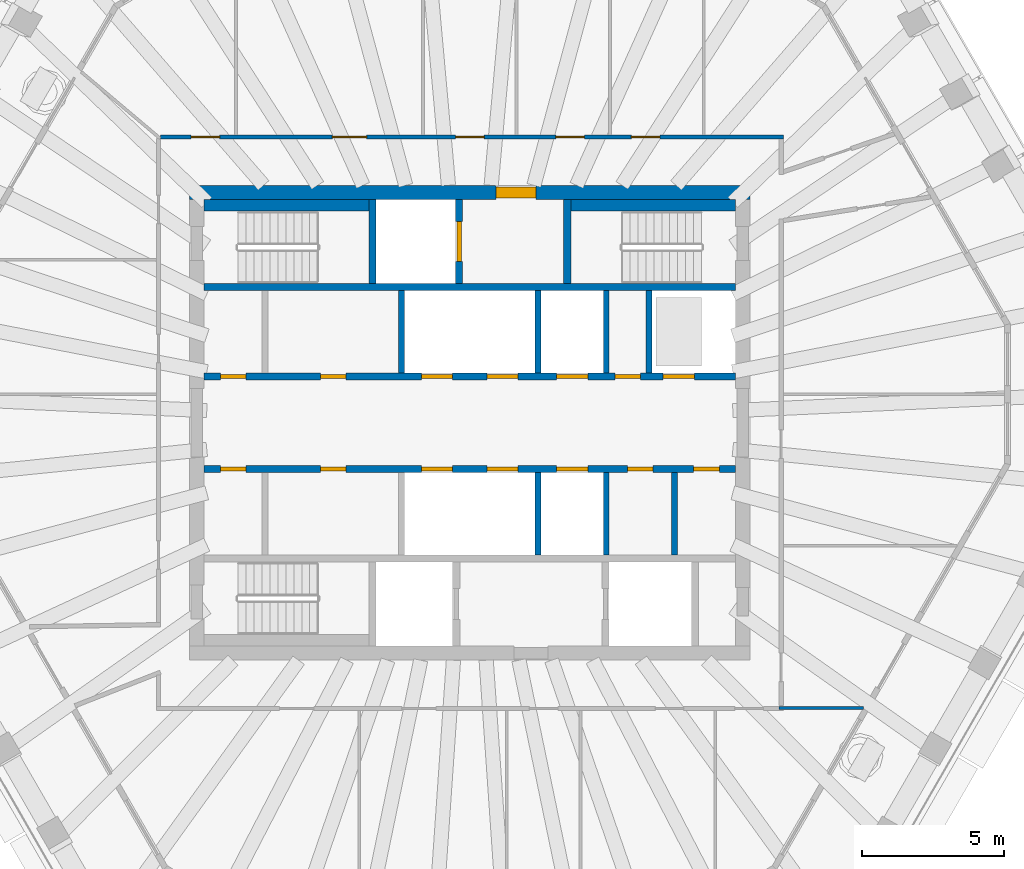
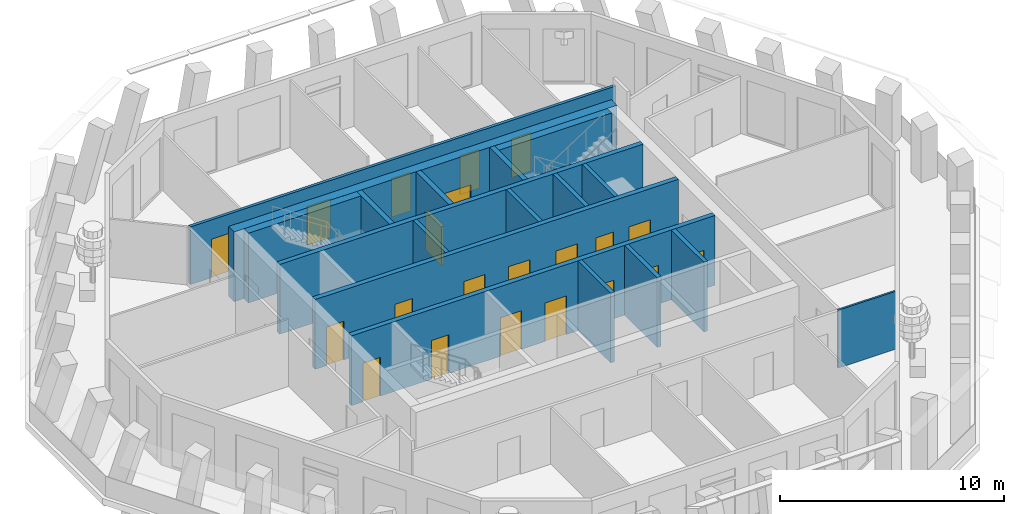
# One storey, part 5 of 11: 21 doors, 18 walls, 21 openings.
"""IFC4 building model written with IfcOpenShell, lengths in metres."""

from ifc_helpers import new_model, si_unit, direction, frame, frame_2d, origin, place, context, subcontext, project, spatial, rectangle, extrude, material, layer, layer_set, type_object, element, fill, save


model = new_model("IFC4")

# Units and contexts
model_context = context("Model", 3, precision=1e-05, world=origin(), true_north=direction((0.0, 1.0)))
body_context = subcontext(model_context, "Body", "Model", "MODEL_VIEW")
ifc_project = project(units=[si_unit("LENGTHUNIT", "METRE"), si_unit("AREAUNIT", "SQUARE_METRE"), si_unit("VOLUMEUNIT", "CUBIC_METRE"), si_unit("PLANEANGLEUNIT", "RADIAN"), si_unit("MASSUNIT", "GRAM", prefix="KILO")], contexts=[model_context])

# Site, building, storey
site_placement = place(None, origin())
site = spatial("IfcSite", under=ifc_project, at=site_placement, CompositionType="ELEMENT")
building_placement = place(site_placement, origin())
building = spatial("IfcBuilding", under=site, at=building_placement, Name="Frailejon Research Tower", CompositionType="ELEMENT")
storey_placement = place(building_placement, frame((0.0, 0.0, 340.60009765625)))
storey = spatial("IfcBuildingStorey", under=building, at=storey_placement, Name="L76", CompositionType="ELEMENT", Elevation=340.60009765625)

# Wall, opening, door
ifc_material_1 = material(Name="Concrete C50/60", Category="concrete")
ifc_layer_1 = layer(ifc_material_1, 0.5)
ifc_layer_set_1 = layer_set([ifc_layer_1], Name="Core shear wall 500 C50/60")
wall_type_1 = type_object("IfcWallType", Name="Core shear wall 500 C50/60", PredefinedType="SHEAR", material=ifc_layer_set_1)
wall_1_placement = place(storey_placement, frame((-9.85009765625, 8.10009765625, 0.0), z_axis=(0.0, 0.0, 1.0), x_axis=(1.0, 0.0, 0.0)))
wall_1 = element("IfcWall", 1, at=wall_1_placement, inside=storey, type_object=wall_type_1, Name="Core shear wall", PredefinedType="SHEAR", context=body_context, shape_type="SweptSolid", body=[
    extrude(rectangle(XDim=19.7001953125, YDim=0.5, at=frame_2d((9.85009765625, 0.0))), origin(), (0.0, 0.0, 1.0), 3.7998046875),
])
opening_1_placement = place(wall_1_placement, frame((10.77490234375, 0.0, 0.0)))
opening_1 = element("IfcOpeningElement", 2, at=opening_1_placement, cuts=wall_1, Name="Opening D9", PredefinedType="OPENING", context=body_context, shape_type="SweptSolid", body=[
    extrude(rectangle(XDim=1.39990234375, YDim=2.10009765625, at=frame_2d((0.699951171875, 1.050048828125))), frame((0.0, 0.260009765625, 0.0), z_axis=(0.0, -1.0, 0.0), x_axis=(1.0, 0.0, 0.0)), (0.0, 0.0, 1.0), 0.52001953125),
])
ifc_material_2 = material(Name="Steel", Category="steel")
door_type_1 = type_object("IfcDoorType", Name="Goods lobby door", OperationType="DOUBLE_DOOR_SINGLE_SWING", PredefinedType="DOOR", material=ifc_material_2)
door_1_placement = place(opening_1_placement, origin())
door_1 = element("IfcDoor", 3, at=door_1_placement, inside=storey, type_object=door_type_1, Name="Goods lobby door", OperationType="DOUBLE_DOOR_SINGLE_SWING", OverallHeight=2.10009765625, OverallWidth=1.39990234375, PredefinedType="DOOR", context=body_context, shape_type="SweptSolid", body=[
    extrude(rectangle(XDim=1.39990234375, YDim=2.10009765625, at=frame_2d((0.699951171875, 1.050048828125))), frame((0.0, 0.199951171875, 0.0), z_axis=(0.0, -1.0, 0.0), x_axis=(1.0, 0.0, 0.0)), (0.0, 0.0, 1.0), 0.39990234375),
])
fill(opening_1, door_1)

# Wall, openings, doors
ifc_material_3 = material(Name="Gypsum board and masonry partition", Category="masonry")
ifc_layer_2 = layer(ifc_material_3, 0.14990234375)
ifc_layer_set_2 = layer_set([ifc_layer_2], Name="Corridor wall EI 60, gypsum on steel studs 150")
wall_type_2 = type_object("IfcWallType", Name="Corridor wall EI 60, gypsum on steel studs 150", PredefinedType="PARTITIONING", material=ifc_layer_set_2)
wall_2_placement = place(storey_placement, frame((-10.875, 10.050048828125, 0.0), z_axis=(0.0, 0.0, 1.0), x_axis=(1.0, 0.0, 0.0)))
wall_2 = element("IfcWall", 4, at=wall_2_placement, inside=storey, type_object=wall_type_2, Name="T:IW:L76:005", PredefinedType="PARTITIONING", context=body_context, shape_type="SweptSolid", body=[
    extrude(rectangle(XDim=21.89990234375, YDim=0.14990234375, at=frame_2d((10.949951171875, 0.0))), origin(), (0.0, 0.0, 1.0), 3.14990234375),
])
opening_2_placement = place(wall_2_placement, frame((16.5576171875, 0.0, 0.0)))
opening_2 = element("IfcOpeningElement", 5, at=opening_2_placement, cuts=wall_2, Name="Opening D2416", PredefinedType="OPENING", context=body_context, shape_type="SweptSolid", body=[
    extrude(rectangle(XDim=1.0, YDim=2.10009765625, at=frame_2d((0.5, 1.050048828125))), frame((0.0, 0.0849609375, 0.0), z_axis=(0.0, -1.0, 0.0), x_axis=(1.0, 0.0, 0.0)), (0.0, 0.0, 1.0), 0.169921875),
])
opening_3_placement = place(wall_2_placement, frame((13.903564453125, 0.0, 0.0)))
opening_3 = element("IfcOpeningElement", 6, at=opening_3_placement, cuts=wall_2, Name="Opening D2417", PredefinedType="OPENING", context=body_context, shape_type="SweptSolid", body=[
    extrude(rectangle(XDim=1.0, YDim=2.10009765625, at=frame_2d((0.5, 1.050048828125))), frame((0.0, 0.0849609375, 0.0), z_axis=(0.0, -1.0, 0.0), x_axis=(1.0, 0.0, 0.0)), (0.0, 0.0, 1.0), 0.169921875),
])
opening_4_placement = place(wall_2_placement, frame((10.375, 0.0, 0.0)))
opening_4 = element("IfcOpeningElement", 7, at=opening_4_placement, cuts=wall_2, Name="Opening D2418", PredefinedType="OPENING", context=body_context, shape_type="SweptSolid", body=[
    extrude(rectangle(XDim=1.0, YDim=2.10009765625, at=frame_2d((0.5, 1.050048828125))), frame((0.0, 0.0849609375, 0.0), z_axis=(0.0, -1.0, 0.0), x_axis=(1.0, 0.0, 0.0)), (0.0, 0.0, 1.0), 0.169921875),
])
opening_5_placement = place(wall_2_placement, frame((6.0419921875, 0.0, 0.0)))
opening_5 = element("IfcOpeningElement", 8, at=opening_5_placement, cuts=wall_2, Name="Opening D2419", PredefinedType="OPENING", context=body_context, shape_type="SweptSolid", body=[
    extrude(rectangle(XDim=1.199951171875, YDim=2.10009765625, at=frame_2d((0.60009765625, 1.050048828125))), frame((0.0, 0.0849609375, 0.0), z_axis=(0.0, -1.0, 0.0), x_axis=(1.0, 0.0, 0.0)), (0.0, 0.0, 1.0), 0.169921875),
])
opening_6_placement = place(wall_2_placement, frame((1.074951171875, 0.0, 0.0)))
opening_6 = element("IfcOpeningElement", 9, at=opening_6_placement, cuts=wall_2, Name="Opening D2420", PredefinedType="OPENING", context=body_context, shape_type="SweptSolid", body=[
    extrude(rectangle(XDim=1.0, YDim=2.10009765625, at=frame_2d((0.5, 1.050048828125))), frame((0.0, 0.0849609375, 0.0), z_axis=(0.0, -1.0, 0.0), x_axis=(1.0, 0.0, 0.0)), (0.0, 0.0, 1.0), 0.169921875),
])
ifc_material_4 = material(Name="Timber door leaf", Category="wood")
door_type_2 = type_object("IfcDoorType", Name="Door single leaf, timber, steel frame 1000", OperationType="NOTDEFINED", PredefinedType="DOOR", material=ifc_material_4)
door_2_placement = place(opening_2_placement, origin())
door_2 = element("IfcDoor", 10, at=door_2_placement, inside=storey, type_object=door_type_2, Name="D2416", OperationType="SINGLE_SWING_LEFT", OverallHeight=2.10009765625, OverallWidth=1.0, PredefinedType="DOOR", context=body_context, shape_type="SweptSolid", body=[
    extrude(rectangle(XDim=1.0, YDim=2.10009765625, at=frame_2d((0.5, 1.050048828125))), frame((0.0, 0.02490234375, 0.0), z_axis=(0.0, -1.0, 0.0), x_axis=(1.0, 0.0, 0.0)), (0.0, 0.0, 1.0), 0.050048828125),
])
fill(opening_2, door_2)
door_3_placement = place(opening_3_placement, origin())
door_3 = element("IfcDoor", 11, at=door_3_placement, inside=storey, type_object=door_type_2, Name="D2417", OperationType="SINGLE_SWING_LEFT", OverallHeight=2.10009765625, OverallWidth=1.0, PredefinedType="DOOR", context=body_context, shape_type="SweptSolid", body=[
    extrude(rectangle(XDim=1.0, YDim=2.10009765625, at=frame_2d((0.5, 1.050048828125))), frame((0.0, 0.02490234375, 0.0), z_axis=(0.0, -1.0, 0.0), x_axis=(1.0, 0.0, 0.0)), (0.0, 0.0, 1.0), 0.050048828125),
])
fill(opening_3, door_3)
door_4_placement = place(opening_4_placement, origin())
door_4 = element("IfcDoor", 12, at=door_4_placement, inside=storey, type_object=door_type_2, Name="D2418", OperationType="SINGLE_SWING_LEFT", OverallHeight=2.10009765625, OverallWidth=1.0, PredefinedType="DOOR", context=body_context, shape_type="SweptSolid", body=[
    extrude(rectangle(XDim=1.0, YDim=2.10009765625, at=frame_2d((0.5, 1.050048828125))), frame((0.0, 0.02490234375, 0.0), z_axis=(0.0, -1.0, 0.0), x_axis=(1.0, 0.0, 0.0)), (0.0, 0.0, 1.0), 0.050048828125),
])
fill(opening_4, door_4)
door_5_placement = place(opening_6_placement, origin())
door_5 = element("IfcDoor", 13, at=door_5_placement, inside=storey, type_object=door_type_2, Name="D2420", OperationType="SINGLE_SWING_RIGHT", OverallHeight=2.10009765625, OverallWidth=1.0, PredefinedType="DOOR", context=body_context, shape_type="SweptSolid", body=[
    extrude(rectangle(XDim=1.0, YDim=2.10009765625, at=frame_2d((0.5, 1.050048828125))), frame((0.0, 0.02490234375, 0.0), z_axis=(0.0, -1.0, 0.0), x_axis=(1.0, 0.0, 0.0)), (0.0, 0.0, 1.0), 0.050048828125),
])
fill(opening_6, door_5)
ifc_material_5 = material(Name="Timber door leaf", Category="wood")
door_type_3 = type_object("IfcDoorType", Name="Door single leaf, timber, steel frame 1200", OperationType="NOTDEFINED", PredefinedType="DOOR", material=ifc_material_5)
door_6_placement = place(opening_5_placement, origin())
door_6 = element("IfcDoor", 14, at=door_6_placement, inside=storey, type_object=door_type_3, Name="D2419", OperationType="DOUBLE_DOOR_SINGLE_SWING", OverallHeight=2.10009765625, OverallWidth=1.199951171875, PredefinedType="DOOR", context=body_context, shape_type="SweptSolid", body=[
    extrude(rectangle(XDim=1.199951171875, YDim=2.10009765625, at=frame_2d((0.60009765625, 1.050048828125))), frame((0.0, 0.02490234375, 0.0), z_axis=(0.0, -1.0, 0.0), x_axis=(1.0, 0.0, 0.0)), (0.0, 0.0, 1.0), 0.050048828125),
])
fill(opening_5, door_6)

# Walls
ifc_material_6 = material(Name="Gypsum board and masonry partition", Category="masonry")
ifc_layer_3 = layer(ifc_material_6, 0.10009765625)
ifc_layer_set_3 = layer_set([ifc_layer_3], Name="Partition, gypsum on steel studs 100")
wall_type_3 = type_object("IfcWallType", Name="Partition, gypsum on steel studs 100", PredefinedType="PARTITIONING", material=ifc_layer_set_3)
wall_3_placement = place(storey_placement, frame((10.875, -10.024658203125, 0.0), z_axis=(0.0, 0.0, 1.0), x_axis=(1.0, 0.0, 0.0)))
element("IfcWall", 15, at=wall_3_placement, inside=storey, type_object=wall_type_3, Name="T:IW:L76:024", PredefinedType="PARTITIONING", context=body_context, shape_type="SweptSolid", body=[
    extrude(rectangle(XDim=2.96728515625, YDim=0.10009765625, at=frame_2d((1.483642578125, 0.0))), origin(), (0.0, 0.0, 1.0), 3.14990234375),
])
ifc_material_7 = material(Name="Concrete C50/60", Category="concrete")
ifc_layer_4 = layer(ifc_material_7, 0.199951171875)
ifc_layer_set_4 = layer_set([ifc_layer_4], Name="Shaft wall 200 C50/60")
wall_type_4 = type_object("IfcWallType", Name="Shaft wall 200 C50/60", PredefinedType="SOLIDWALL", material=ifc_layer_set_4)
for number, where, z_axis, x_axis, name in (
    (16, (-2.39990234375, 1.75, 0.0), (0.0, 0.0, 1.0), (0.0, 1.0, 0.0), "Shaft wall"),
    (17, (2.39990234375, 1.75, 0.0), (0.0, 0.0, 1.0), (0.0, 1.0, 0.0), "Shaft wall"),
    (18, (4.800048828125, 1.75, 0.0), (0.0, 0.0, 1.0), (0.0, 1.0, 0.0), "Shaft wall"),
    (19, (6.300048828125, 1.75, 0.0), (0.0, 0.0, 1.0), (0.0, 1.0, 0.0), "Shaft wall"),
    (20, (2.39990234375, -4.64990234375, 0.0), (0.0, 0.0, 1.0), (0.0, 1.0, 0.0), "Shaft wall"),
    (21, (4.800048828125, -4.64990234375, 0.0), (0.0, 0.0, 1.0), (0.0, 1.0, 0.0), "Shaft wall"),
    (22, (7.199951171875, -4.64990234375, 0.0), (0.0, 0.0, 1.0), (0.0, 1.0, 0.0), "Shaft wall"),
):
    element("IfcWall", number, at=place(storey_placement, frame(where, z_axis=z_axis, x_axis=x_axis)), inside=storey, type_object=wall_type_4, Name=name, PredefinedType="SOLIDWALL", context=body_context, shape_type="SweptSolid", body=[
        extrude(rectangle(XDim=2.89990234375, YDim=0.199951171875, at=frame_2d((1.449951171875, 0.0))), origin(), (0.0, 0.0, 1.0), 3.7998046875),
    ])

# Wall, openings, doors
ifc_material_8 = material(Name="Concrete C50/60", Category="concrete")
ifc_layer_5 = layer(ifc_material_8, 0.25)
ifc_layer_set_5 = layer_set([ifc_layer_5], Name="Shaft wall 250 C50/60")
wall_type_5 = type_object("IfcWallType", Name="Shaft wall 250 C50/60", PredefinedType="SOLIDWALL", material=ifc_layer_set_5)
wall_4_placement = place(storey_placement, frame((-9.35009765625, 1.625, 0.0), z_axis=(0.0, 0.0, 1.0), x_axis=(1.0, 0.0, 0.0)))
wall_4 = element("IfcWall", 23, at=wall_4_placement, inside=storey, type_object=wall_type_5, Name="Shaft wall", PredefinedType="SOLIDWALL", context=body_context, shape_type="SweptSolid", body=[
    extrude(rectangle(XDim=18.7001953125, YDim=0.25, at=frame_2d((9.35009765625, 0.0))), origin(), (0.0, 0.0, 1.0), 3.7998046875),
])
opening_7_placement = place(wall_4_placement, frame((7.64990234375, 0.0, 0.0)))
opening_7 = element("IfcOpeningElement", 24, at=opening_7_placement, cuts=wall_4, Name="Opening LD", PredefinedType="OPENING", context=body_context, shape_type="SweptSolid", body=[
    extrude(rectangle(XDim=1.10009765625, YDim=2.10009765625, at=frame_2d((0.550048828125, 1.050048828125))), frame((0.0, 0.135009765625, 0.0), z_axis=(0.0, -1.0, 0.0), x_axis=(1.0, 0.0, 0.0)), (0.0, 0.0, 1.0), 0.27001953125),
])
opening_8_placement = place(wall_4_placement, frame((9.949951171875, 0.0, 0.0)))
opening_8 = element("IfcOpeningElement", 25, at=opening_8_placement, cuts=wall_4, Name="Opening LD", PredefinedType="OPENING", context=body_context, shape_type="SweptSolid", body=[
    extrude(rectangle(XDim=1.10009765625, YDim=2.10009765625, at=frame_2d((0.550048828125, 1.050048828125))), frame((0.0, 0.135009765625, 0.0), z_axis=(0.0, -1.0, 0.0), x_axis=(1.0, 0.0, 0.0)), (0.0, 0.0, 1.0), 0.27001953125),
])
opening_9_placement = place(wall_4_placement, frame((12.39990234375, 0.0, 0.0)))
opening_9 = element("IfcOpeningElement", 26, at=opening_9_placement, cuts=wall_4, Name="Opening LD", PredefinedType="OPENING", context=body_context, shape_type="SweptSolid", body=[
    extrude(rectangle(XDim=1.10009765625, YDim=2.10009765625, at=frame_2d((0.550048828125, 1.050048828125))), frame((0.0, 0.135009765625, 0.0), z_axis=(0.0, -1.0, 0.0), x_axis=(1.0, 0.0, 0.0)), (0.0, 0.0, 1.0), 0.27001953125),
])
opening_10_placement = place(wall_4_placement, frame((16.14990234375, 0.0, 0.0)))
opening_10 = element("IfcOpeningElement", 27, at=opening_10_placement, cuts=wall_4, Name="Opening LD", PredefinedType="OPENING", context=body_context, shape_type="SweptSolid", body=[
    extrude(rectangle(XDim=1.10009765625, YDim=2.10009765625, at=frame_2d((0.550048828125, 1.050048828125))), frame((0.0, 0.135009765625, 0.0), z_axis=(0.0, -1.0, 0.0), x_axis=(1.0, 0.0, 0.0)), (0.0, 0.0, 1.0), 0.27001953125),
])
opening_11_placement = place(wall_4_placement, frame((0.574951171875, 0.0, 0.0)))
opening_11 = element("IfcOpeningElement", 28, at=opening_11_placement, cuts=wall_4, Name="Opening D8", PredefinedType="OPENING", context=body_context, shape_type="SweptSolid", body=[
    extrude(rectangle(XDim=0.89990234375, YDim=2.10009765625, at=frame_2d((0.449951171875, 1.050048828125))), frame((0.0, 0.135009765625, 0.0), z_axis=(0.0, -1.0, 0.0), x_axis=(1.0, 0.0, 0.0)), (0.0, 0.0, 1.0), 0.27001953125),
])
opening_12_placement = place(wall_4_placement, frame((4.10009765625, 0.0, 0.0)))
opening_12 = element("IfcOpeningElement", 29, at=opening_12_placement, cuts=wall_4, Name="Opening D8", PredefinedType="OPENING", context=body_context, shape_type="SweptSolid", body=[
    extrude(rectangle(XDim=0.89990234375, YDim=2.10009765625, at=frame_2d((0.449951171875, 1.050048828125))), frame((0.0, 0.135009765625, 0.0), z_axis=(0.0, -1.0, 0.0), x_axis=(1.0, 0.0, 0.0)), (0.0, 0.0, 1.0), 0.27001953125),
])
opening_13_placement = place(wall_4_placement, frame((14.449951171875, 0.0, 0.0)))
opening_13 = element("IfcOpeningElement", 30, at=opening_13_placement, cuts=wall_4, Name="Opening D8", PredefinedType="OPENING", context=body_context, shape_type="SweptSolid", body=[
    extrude(rectangle(XDim=0.89990234375, YDim=2.10009765625, at=frame_2d((0.449951171875, 1.050048828125))), frame((0.0, 0.135009765625, 0.0), z_axis=(0.0, -1.0, 0.0), x_axis=(1.0, 0.0, 0.0)), (0.0, 0.0, 1.0), 0.27001953125),
])
ifc_material_9 = material(Name="Steel", Category="steel")
door_type_4 = type_object("IfcDoorType", Name="Core room door", OperationType="SINGLE_SWING_LEFT", PredefinedType="DOOR", material=ifc_material_9)
door_7_placement = place(opening_11_placement, origin())
door_7 = element("IfcDoor", 31, at=door_7_placement, inside=storey, type_object=door_type_4, Name="Room door", OperationType="SINGLE_SWING_RIGHT", OverallHeight=2.10009765625, OverallWidth=0.89990234375, PredefinedType="DOOR", context=body_context, shape_type="SweptSolid", body=[
    extrude(rectangle(XDim=0.89990234375, YDim=2.10009765625, at=frame_2d((0.449951171875, 1.050048828125))), frame((0.0, 0.074951171875, 0.0), z_axis=(0.0, -1.0, 0.0), x_axis=(1.0, 0.0, 0.0)), (0.0, 0.0, 1.0), 0.14990234375),
])
fill(opening_11, door_7)
door_8_placement = place(opening_12_placement, origin())
door_8 = element("IfcDoor", 32, at=door_8_placement, inside=storey, type_object=door_type_4, Name="Room door", OperationType="SINGLE_SWING_LEFT", OverallHeight=2.10009765625, OverallWidth=0.89990234375, PredefinedType="DOOR", context=body_context, shape_type="SweptSolid", body=[
    extrude(rectangle(XDim=0.89990234375, YDim=2.10009765625, at=frame_2d((0.449951171875, 1.050048828125))), frame((0.0, 0.074951171875, 0.0), z_axis=(0.0, -1.0, 0.0), x_axis=(1.0, 0.0, 0.0)), (0.0, 0.0, 1.0), 0.14990234375),
])
fill(opening_12, door_8)
door_9_placement = place(opening_13_placement, origin())
door_9 = element("IfcDoor", 33, at=door_9_placement, inside=storey, type_object=door_type_4, Name="Room door", OperationType="SINGLE_SWING_RIGHT", OverallHeight=2.10009765625, OverallWidth=0.89990234375, PredefinedType="DOOR", context=body_context, shape_type="SweptSolid", body=[
    extrude(rectangle(XDim=0.89990234375, YDim=2.10009765625, at=frame_2d((0.449951171875, 1.050048828125))), frame((0.0, 0.074951171875, 0.0), z_axis=(0.0, -1.0, 0.0), x_axis=(1.0, 0.0, 0.0)), (0.0, 0.0, 1.0), 0.14990234375),
])
fill(opening_13, door_9)
ifc_material_10 = material(Name="Steel", Category="steel")
door_type_5 = type_object("IfcDoorType", Name="Lift landing door", OperationType="DOUBLE_DOOR_SLIDING", PredefinedType="DOOR", material=ifc_material_10)
door_10_placement = place(opening_7_placement, origin())
door_10 = element("IfcDoor", 34, at=door_10_placement, inside=storey, type_object=door_type_5, Name="Lift landing door", OperationType="DOUBLE_DOOR_SLIDING", OverallHeight=2.10009765625, OverallWidth=1.10009765625, PredefinedType="DOOR", context=body_context, shape_type="SweptSolid", body=[
    extrude(rectangle(XDim=1.10009765625, YDim=2.10009765625, at=frame_2d((0.550048828125, 1.050048828125))), frame((0.0, 0.074951171875, 0.0), z_axis=(0.0, -1.0, 0.0), x_axis=(1.0, 0.0, 0.0)), (0.0, 0.0, 1.0), 0.14990234375),
])
fill(opening_7, door_10)
door_11_placement = place(opening_8_placement, origin())
door_11 = element("IfcDoor", 35, at=door_11_placement, inside=storey, type_object=door_type_5, Name="Lift landing door", OperationType="DOUBLE_DOOR_SLIDING", OverallHeight=2.10009765625, OverallWidth=1.10009765625, PredefinedType="DOOR", context=body_context, shape_type="SweptSolid", body=[
    extrude(rectangle(XDim=1.10009765625, YDim=2.10009765625, at=frame_2d((0.550048828125, 1.050048828125))), frame((0.0, 0.074951171875, 0.0), z_axis=(0.0, -1.0, 0.0), x_axis=(1.0, 0.0, 0.0)), (0.0, 0.0, 1.0), 0.14990234375),
])
fill(opening_8, door_11)
door_12_placement = place(opening_9_placement, origin())
door_12 = element("IfcDoor", 36, at=door_12_placement, inside=storey, type_object=door_type_5, Name="Lift landing door", OperationType="DOUBLE_DOOR_SLIDING", OverallHeight=2.10009765625, OverallWidth=1.10009765625, PredefinedType="DOOR", context=body_context, shape_type="SweptSolid", body=[
    extrude(rectangle(XDim=1.10009765625, YDim=2.10009765625, at=frame_2d((0.550048828125, 1.050048828125))), frame((0.0, 0.074951171875, 0.0), z_axis=(0.0, -1.0, 0.0), x_axis=(1.0, 0.0, 0.0)), (0.0, 0.0, 1.0), 0.14990234375),
])
fill(opening_9, door_12)
door_13_placement = place(opening_10_placement, origin())
door_13 = element("IfcDoor", 37, at=door_13_placement, inside=storey, type_object=door_type_5, Name="Lift landing door", OperationType="DOUBLE_DOOR_SLIDING", OverallHeight=2.10009765625, OverallWidth=1.10009765625, PredefinedType="DOOR", context=body_context, shape_type="SweptSolid", body=[
    extrude(rectangle(XDim=1.10009765625, YDim=2.10009765625, at=frame_2d((0.550048828125, 1.050048828125))), frame((0.0, 0.074951171875, 0.0), z_axis=(0.0, -1.0, 0.0), x_axis=(1.0, 0.0, 0.0)), (0.0, 0.0, 1.0), 0.14990234375),
])
fill(opening_10, door_13)

# Wall
wall_5_placement = place(storey_placement, frame((-9.35009765625, 4.77490234375, 0.0), z_axis=(0.0, 0.0, 1.0), x_axis=(1.0, 0.0, 0.0)))
element("IfcWall", 38, at=wall_5_placement, inside=storey, type_object=wall_type_5, Name="Shaft wall", PredefinedType="SOLIDWALL", context=body_context, shape_type="SweptSolid", body=[
    extrude(rectangle(XDim=18.7001953125, YDim=0.25, at=frame_2d((9.35009765625, 0.0))), origin(), (0.0, 0.0, 1.0), 3.7998046875),
])

# Wall, openings, doors
wall_6_placement = place(storey_placement, frame((-9.35009765625, -1.625, 0.0), z_axis=(0.0, 0.0, 1.0), x_axis=(1.0, 0.0, 0.0)))
wall_6 = element("IfcWall", 39, at=wall_6_placement, inside=storey, type_object=wall_type_5, Name="Shaft wall", PredefinedType="SOLIDWALL", context=body_context, shape_type="SweptSolid", body=[
    extrude(rectangle(XDim=18.7001953125, YDim=0.25, at=frame_2d((9.35009765625, 0.0))), origin(), (0.0, 0.0, 1.0), 3.7998046875),
])
opening_14_placement = place(wall_6_placement, frame((7.64990234375, 0.0, 0.0)))
opening_14 = element("IfcOpeningElement", 40, at=opening_14_placement, cuts=wall_6, Name="Opening LD", PredefinedType="OPENING", context=body_context, shape_type="SweptSolid", body=[
    extrude(rectangle(XDim=1.10009765625, YDim=2.10009765625, at=frame_2d((0.550048828125, 1.050048828125))), frame((0.0, 0.135009765625, 0.0), z_axis=(0.0, -1.0, 0.0), x_axis=(1.0, 0.0, 0.0)), (0.0, 0.0, 1.0), 0.27001953125),
])
opening_15_placement = place(wall_6_placement, frame((9.949951171875, 0.0, 0.0)))
opening_15 = element("IfcOpeningElement", 41, at=opening_15_placement, cuts=wall_6, Name="Opening LD", PredefinedType="OPENING", context=body_context, shape_type="SweptSolid", body=[
    extrude(rectangle(XDim=1.10009765625, YDim=2.10009765625, at=frame_2d((0.550048828125, 1.050048828125))), frame((0.0, 0.135009765625, 0.0), z_axis=(0.0, -1.0, 0.0), x_axis=(1.0, 0.0, 0.0)), (0.0, 0.0, 1.0), 0.27001953125),
])
opening_16_placement = place(wall_6_placement, frame((12.39990234375, 0.0, 0.0)))
opening_16 = element("IfcOpeningElement", 42, at=opening_16_placement, cuts=wall_6, Name="Opening LD", PredefinedType="OPENING", context=body_context, shape_type="SweptSolid", body=[
    extrude(rectangle(XDim=1.10009765625, YDim=2.10009765625, at=frame_2d((0.550048828125, 1.050048828125))), frame((0.0, 0.135009765625, 0.0), z_axis=(0.0, -1.0, 0.0), x_axis=(1.0, 0.0, 0.0)), (0.0, 0.0, 1.0), 0.27001953125),
])
opening_17_placement = place(wall_6_placement, frame((0.574951171875, 0.0, 0.0)))
opening_17 = element("IfcOpeningElement", 43, at=opening_17_placement, cuts=wall_6, Name="Opening D8", PredefinedType="OPENING", context=body_context, shape_type="SweptSolid", body=[
    extrude(rectangle(XDim=0.89990234375, YDim=2.10009765625, at=frame_2d((0.449951171875, 1.050048828125))), frame((0.0, 0.135009765625, 0.0), z_axis=(0.0, -1.0, 0.0), x_axis=(1.0, 0.0, 0.0)), (0.0, 0.0, 1.0), 0.27001953125),
])
opening_18_placement = place(wall_6_placement, frame((4.10009765625, 0.0, 0.0)))
opening_18 = element("IfcOpeningElement", 44, at=opening_18_placement, cuts=wall_6, Name="Opening D8", PredefinedType="OPENING", context=body_context, shape_type="SweptSolid", body=[
    extrude(rectangle(XDim=0.89990234375, YDim=2.10009765625, at=frame_2d((0.449951171875, 1.050048828125))), frame((0.0, 0.135009765625, 0.0), z_axis=(0.0, -1.0, 0.0), x_axis=(1.0, 0.0, 0.0)), (0.0, 0.0, 1.0), 0.27001953125),
])
opening_19_placement = place(wall_6_placement, frame((14.89990234375, 0.0, 0.0)))
opening_19 = element("IfcOpeningElement", 45, at=opening_19_placement, cuts=wall_6, Name="Opening D8", PredefinedType="OPENING", context=body_context, shape_type="SweptSolid", body=[
    extrude(rectangle(XDim=0.89990234375, YDim=2.10009765625, at=frame_2d((0.449951171875, 1.050048828125))), frame((0.0, 0.135009765625, 0.0), z_axis=(0.0, -1.0, 0.0), x_axis=(1.0, 0.0, 0.0)), (0.0, 0.0, 1.0), 0.27001953125),
])
opening_20_placement = place(wall_6_placement, frame((17.22509765625, 0.0, 0.0)))
opening_20 = element("IfcOpeningElement", 46, at=opening_20_placement, cuts=wall_6, Name="Opening D8", PredefinedType="OPENING", context=body_context, shape_type="SweptSolid", body=[
    extrude(rectangle(XDim=0.89990234375, YDim=2.10009765625, at=frame_2d((0.449951171875, 1.050048828125))), frame((0.0, 0.135009765625, 0.0), z_axis=(0.0, -1.0, 0.0), x_axis=(1.0, 0.0, 0.0)), (0.0, 0.0, 1.0), 0.27001953125),
])
door_14_placement = place(opening_17_placement, origin())
door_14 = element("IfcDoor", 47, at=door_14_placement, inside=storey, type_object=door_type_4, Name="Room door", OperationType="SINGLE_SWING_LEFT", OverallHeight=2.10009765625, OverallWidth=0.89990234375, PredefinedType="DOOR", context=body_context, shape_type="SweptSolid", body=[
    extrude(rectangle(XDim=0.89990234375, YDim=2.10009765625, at=frame_2d((0.449951171875, 1.050048828125))), frame((0.0, 0.074951171875, 0.0), z_axis=(0.0, -1.0, 0.0), x_axis=(1.0, 0.0, 0.0)), (0.0, 0.0, 1.0), 0.14990234375),
])
fill(opening_17, door_14)
door_15_placement = place(opening_18_placement, origin())
door_15 = element("IfcDoor", 48, at=door_15_placement, inside=storey, type_object=door_type_4, Name="Room door", OperationType="SINGLE_SWING_RIGHT", OverallHeight=2.10009765625, OverallWidth=0.89990234375, PredefinedType="DOOR", context=body_context, shape_type="SweptSolid", body=[
    extrude(rectangle(XDim=0.89990234375, YDim=2.10009765625, at=frame_2d((0.449951171875, 1.050048828125))), frame((0.0, 0.074951171875, 0.0), z_axis=(0.0, -1.0, 0.0), x_axis=(1.0, 0.0, 0.0)), (0.0, 0.0, 1.0), 0.14990234375),
])
fill(opening_18, door_15)
door_16_placement = place(opening_19_placement, origin())
door_16 = element("IfcDoor", 49, at=door_16_placement, inside=storey, type_object=door_type_4, Name="Room door", OperationType="SINGLE_SWING_LEFT", OverallHeight=2.10009765625, OverallWidth=0.89990234375, PredefinedType="DOOR", context=body_context, shape_type="SweptSolid", body=[
    extrude(rectangle(XDim=0.89990234375, YDim=2.10009765625, at=frame_2d((0.449951171875, 1.050048828125))), frame((0.0, 0.074951171875, 0.0), z_axis=(0.0, -1.0, 0.0), x_axis=(1.0, 0.0, 0.0)), (0.0, 0.0, 1.0), 0.14990234375),
])
fill(opening_19, door_16)
door_17_placement = place(opening_20_placement, origin())
door_17 = element("IfcDoor", 50, at=door_17_placement, inside=storey, type_object=door_type_4, Name="Room door", OperationType="SINGLE_SWING_RIGHT", OverallHeight=2.10009765625, OverallWidth=0.89990234375, PredefinedType="DOOR", context=body_context, shape_type="SweptSolid", body=[
    extrude(rectangle(XDim=0.89990234375, YDim=2.10009765625, at=frame_2d((0.449951171875, 1.050048828125))), frame((0.0, 0.074951171875, 0.0), z_axis=(0.0, -1.0, 0.0), x_axis=(1.0, 0.0, 0.0)), (0.0, 0.0, 1.0), 0.14990234375),
])
fill(opening_20, door_17)
door_18_placement = place(opening_14_placement, origin())
door_18 = element("IfcDoor", 51, at=door_18_placement, inside=storey, type_object=door_type_5, Name="Lift landing door", OperationType="DOUBLE_DOOR_SLIDING", OverallHeight=2.10009765625, OverallWidth=1.10009765625, PredefinedType="DOOR", context=body_context, shape_type="SweptSolid", body=[
    extrude(rectangle(XDim=1.10009765625, YDim=2.10009765625, at=frame_2d((0.550048828125, 1.050048828125))), frame((0.0, 0.074951171875, 0.0), z_axis=(0.0, -1.0, 0.0), x_axis=(1.0, 0.0, 0.0)), (0.0, 0.0, 1.0), 0.14990234375),
])
fill(opening_14, door_18)
door_19_placement = place(opening_15_placement, origin())
door_19 = element("IfcDoor", 52, at=door_19_placement, inside=storey, type_object=door_type_5, Name="Lift landing door", OperationType="DOUBLE_DOOR_SLIDING", OverallHeight=2.10009765625, OverallWidth=1.10009765625, PredefinedType="DOOR", context=body_context, shape_type="SweptSolid", body=[
    extrude(rectangle(XDim=1.10009765625, YDim=2.10009765625, at=frame_2d((0.550048828125, 1.050048828125))), frame((0.0, 0.074951171875, 0.0), z_axis=(0.0, -1.0, 0.0), x_axis=(1.0, 0.0, 0.0)), (0.0, 0.0, 1.0), 0.14990234375),
])
fill(opening_15, door_19)
door_20_placement = place(opening_16_placement, origin())
door_20 = element("IfcDoor", 53, at=door_20_placement, inside=storey, type_object=door_type_5, Name="Lift landing door", OperationType="DOUBLE_DOOR_SLIDING", OverallHeight=2.10009765625, OverallWidth=1.10009765625, PredefinedType="DOOR", context=body_context, shape_type="SweptSolid", body=[
    extrude(rectangle(XDim=1.10009765625, YDim=2.10009765625, at=frame_2d((0.550048828125, 1.050048828125))), frame((0.0, 0.074951171875, 0.0), z_axis=(0.0, -1.0, 0.0), x_axis=(1.0, 0.0, 0.0)), (0.0, 0.0, 1.0), 0.14990234375),
])
fill(opening_16, door_20)

# Wall
wall_7_placement = place(storey_placement, frame((-3.425048828125, 4.89990234375, 0.0), z_axis=(0.0, 0.0, 1.0), x_axis=(0.0, 1.0, 0.0)))
element("IfcWall", 54, at=wall_7_placement, inside=storey, type_object=wall_type_5, Name="Shaft wall", PredefinedType="SOLIDWALL", context=body_context, shape_type="SweptSolid", body=[
    extrude(rectangle(XDim=2.9501953125, YDim=0.25, at=frame_2d((1.47509765625, 0.0))), origin(), (0.0, 0.0, 1.0), 3.7998046875),
])

# Wall, opening, door
wall_8_placement = place(storey_placement, frame((-0.375, 4.89990234375, 0.0), z_axis=(0.0, 0.0, 1.0), x_axis=(0.0, 1.0, 0.0)))
wall_8 = element("IfcWall", 55, at=wall_8_placement, inside=storey, type_object=wall_type_5, Name="Shaft wall", PredefinedType="SOLIDWALL", context=body_context, shape_type="SweptSolid", body=[
    extrude(rectangle(XDim=2.9501953125, YDim=0.25, at=frame_2d((1.47509765625, 0.0))), origin(), (0.0, 0.0, 1.0), 3.7998046875),
])
opening_21_placement = place(wall_8_placement, frame((0.77490234375, 0.0, 0.0)))
opening_21 = element("IfcOpeningElement", 56, at=opening_21_placement, cuts=wall_8, Name="Opening LD2", PredefinedType="OPENING", context=body_context, shape_type="SweptSolid", body=[
    extrude(rectangle(XDim=1.39990234375, YDim=2.10009765625, at=frame_2d((0.699951171875, 1.050048828125))), frame((0.0, 0.135009765625, 0.0), z_axis=(0.0, -1.0, 0.0), x_axis=(1.0, 0.0, 0.0)), (0.0, 0.0, 1.0), 0.27001953125),
])
ifc_material_11 = material(Name="Stainless steel", Category="steel")
door_type_6 = type_object("IfcDoorType", Name="Goods landing door", OperationType="DOUBLE_DOOR_SLIDING", PredefinedType="DOOR", material=ifc_material_11)
door_21_placement = place(opening_21_placement, origin())
door_21 = element("IfcDoor", 57, at=door_21_placement, inside=storey, type_object=door_type_6, Name="Lift landing door", OperationType="DOUBLE_DOOR_SLIDING", OverallHeight=2.10009765625, OverallWidth=1.39990234375, PredefinedType="DOOR", context=body_context, shape_type="SweptSolid", body=[
    extrude(rectangle(XDim=1.39990234375, YDim=2.10009765625, at=frame_2d((0.699951171875, 1.050048828125))), frame((0.0, 0.074951171875, 0.0), z_axis=(0.0, -1.0, 0.0), x_axis=(1.0, 0.0, 0.0)), (0.0, 0.0, 1.0), 0.14990234375),
])
fill(opening_21, door_21)

# Walls
wall_9_placement = place(storey_placement, frame((3.425048828125, 4.89990234375, 0.0), z_axis=(0.0, 0.0, 1.0), x_axis=(0.0, 1.0, 0.0)))
element("IfcWall", 58, at=wall_9_placement, inside=storey, type_object=wall_type_5, Name="Shaft wall", PredefinedType="SOLIDWALL", context=body_context, shape_type="SweptSolid", body=[
    extrude(rectangle(XDim=2.9501953125, YDim=0.25, at=frame_2d((1.47509765625, 0.0))), origin(), (0.0, 0.0, 1.0), 3.7998046875),
])
ifc_material_12 = material(Name="Concrete C50/60", Category="concrete")
ifc_layer_6 = layer(ifc_material_12, 0.39990234375)
ifc_layer_set_6 = layer_set([ifc_layer_6], Name="Shaft wall 400 C50/60")
wall_type_6 = type_object("IfcWallType", Name="Shaft wall 400 C50/60", PredefinedType="SOLIDWALL", material=ifc_layer_set_6)
for number, where, z_axis, x_axis, name in (
    (59, (-9.35009765625, 7.64990234375, 0.0), (0.0, 0.0, 1.0), (1.0, 0.0, 0.0), "Shaft wall"),
    (60, (3.550048828125, 7.64990234375, 0.0), (0.0, 0.0, 1.0), (1.0, 0.0, 0.0), "Shaft wall"),
):
    element("IfcWall", number, at=place(storey_placement, frame(where, z_axis=z_axis, x_axis=x_axis)), inside=storey, type_object=wall_type_6, Name=name, PredefinedType="SOLIDWALL", context=body_context, shape_type="SweptSolid", body=[
        extrude(rectangle(XDim=5.800048828125, YDim=0.39990234375, at=frame_2d((2.89990234375, 0.0))), origin(), (0.0, 0.0, 1.0), 3.7998046875),
    ])

save(model, "model.ifc")
